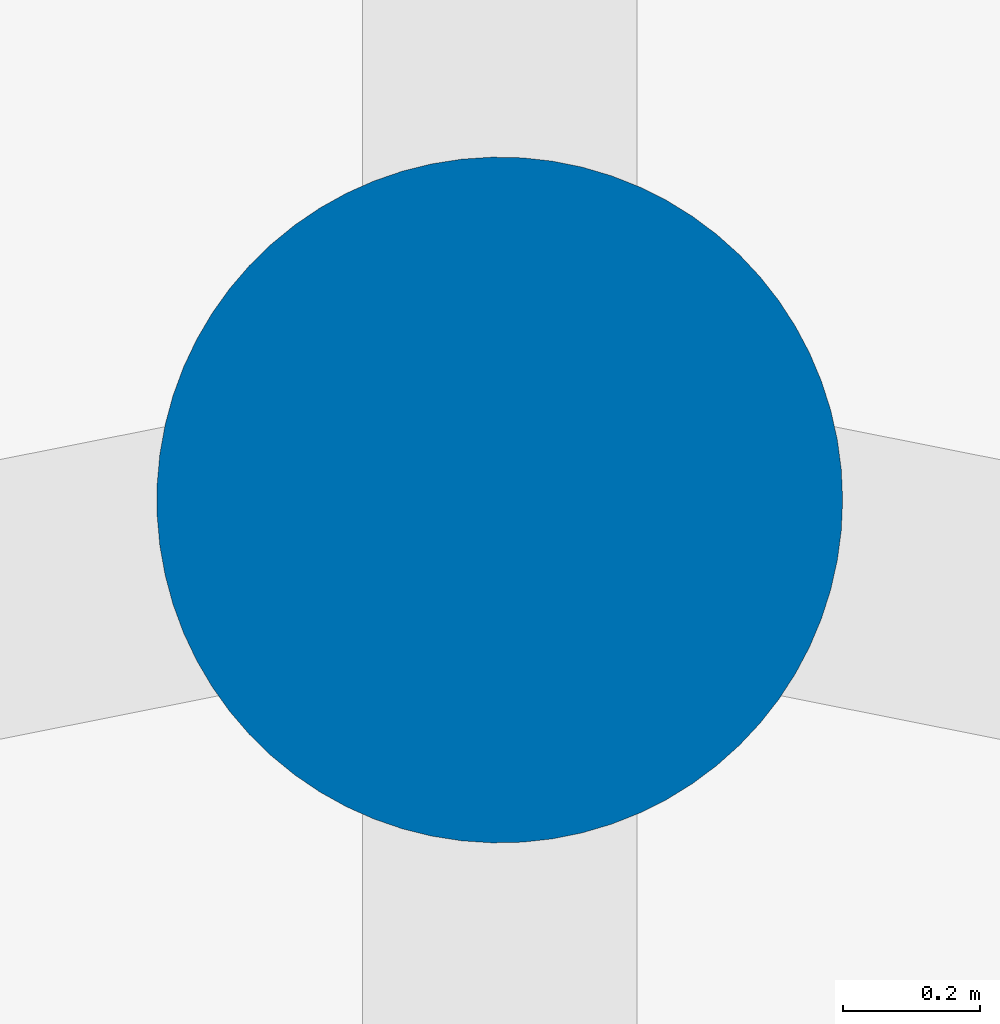
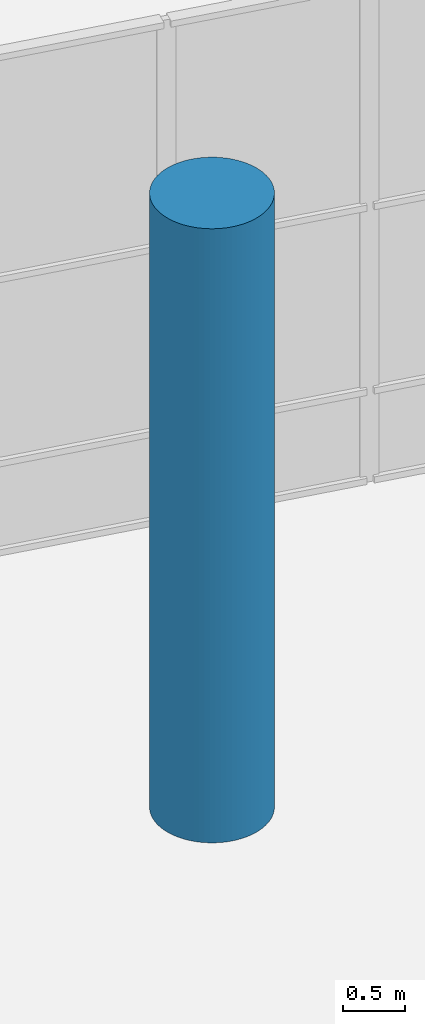
# One storey, part 42 of 226: 1 column.
"""IFC4 building model written with IfcOpenShell, lengths in metres."""

from ifc_helpers import new_model, si_unit, direction, frame, origin, origin_2d, place, context, subcontext, project, spatial, circle, extrude, material, material_profile, profile_set, type_object, element, save


model = new_model("IFC4")

# Units and contexts
model_context = context("Model", 3, precision=1e-05, world=origin(), true_north=direction((0.0, 1.0)))
body_context = subcontext(model_context, "Body", "Model", "MODEL_VIEW")
ifc_project = project(units=[si_unit("LENGTHUNIT", "METRE"), si_unit("AREAUNIT", "SQUARE_METRE"), si_unit("VOLUMEUNIT", "CUBIC_METRE"), si_unit("PLANEANGLEUNIT", "RADIAN"), si_unit("MASSUNIT", "GRAM", prefix="KILO")], contexts=[model_context])

# Site, building, storey
site_placement = place(None, origin())
site = spatial("IfcSite", under=ifc_project, at=site_placement, CompositionType="ELEMENT")
building_placement = place(site_placement, origin())
building = spatial("IfcBuilding", under=site, at=building_placement, Name="Ceibo Conservatory and Research Tower", CompositionType="ELEMENT")
storey_placement = place(building_placement, origin())
storey = spatial("IfcBuildingStorey", under=building, at=storey_placement, Name="L00", CompositionType="ELEMENT", Elevation=0.0)

# Column
ifc_material = material(Name="Concrete C40/50", Category="concrete")
ifc_material_profile = material_profile(ifc_material, circle(Radius=0.5, at=origin_2d()), Name="RC D1000")
ifc_profile_set = profile_set([ifc_material_profile], Name="Concrete C40/50")
column_type = type_object("IfcColumnType", Name="RC column D1000 C40", PredefinedType="COLUMN", material=ifc_profile_set)
column_placement = place(storey_placement, frame((48.0, 138.0, 0.0), z_axis=(0.0, 0.0, 1.0), x_axis=(1.0, 0.0, 0.0)))
element("IfcColumn", 1, at=column_placement, inside=storey, type_object=column_type, Name="Column R5 L00", PredefinedType="COLUMN", context=body_context, shape_type="SweptSolid", body=[
    extrude(circle(Radius=0.5, at=origin_2d()), origin(), (0.0, 0.0, 1.0), 6.0),
])

save(model, "model.ifc")
